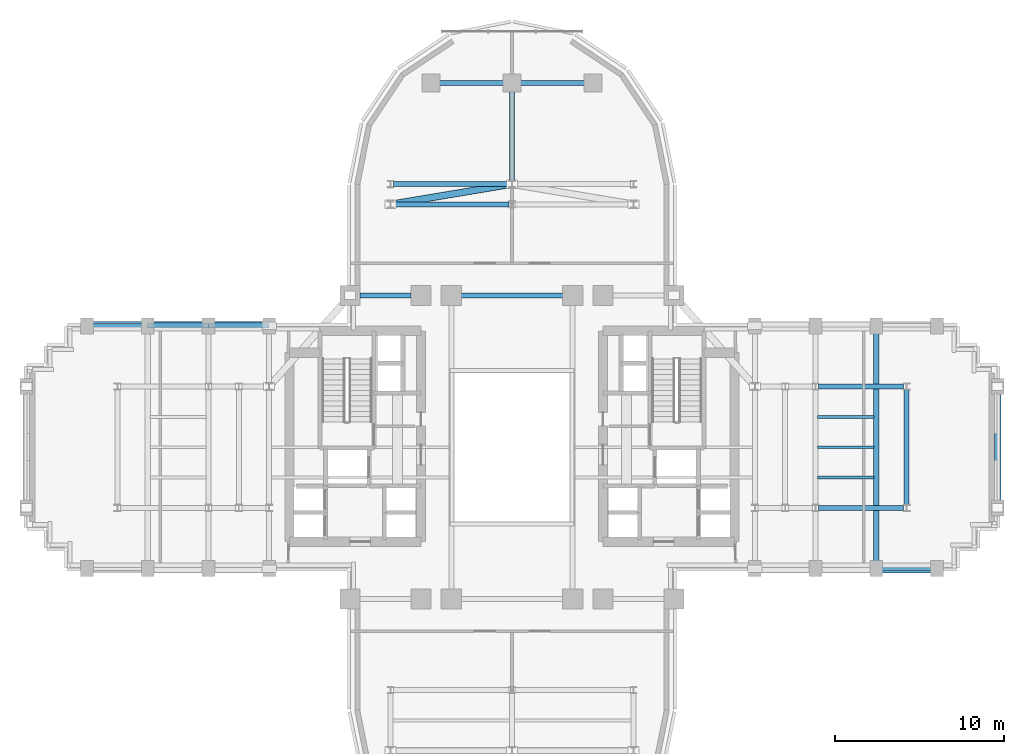
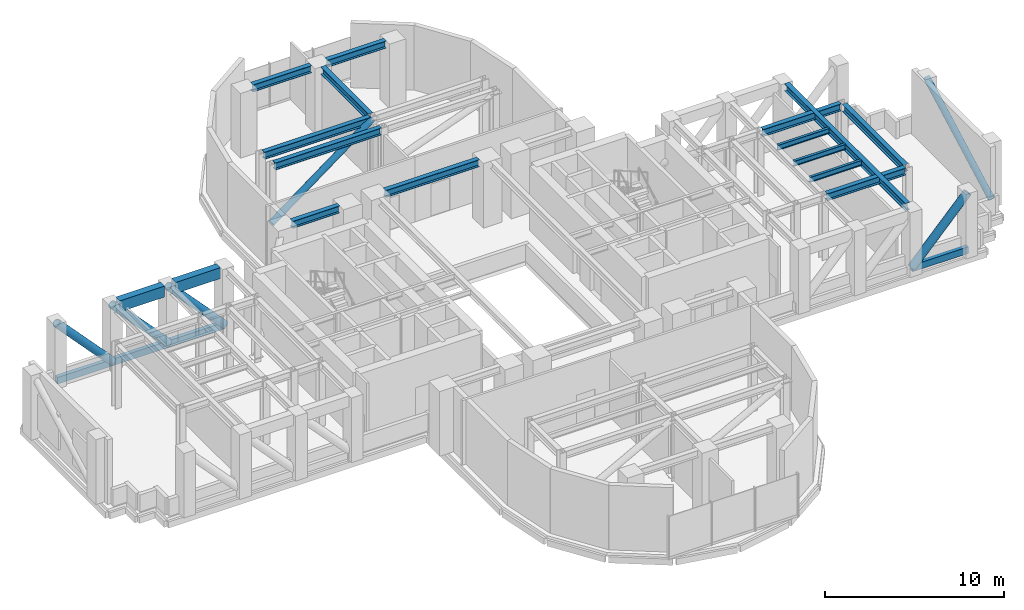
# One storey, part 6 of 15: 16 beams, 10 members.
"""IFC4 building model written with IfcOpenShell, lengths in metres."""

from ifc_helpers import new_model, si_unit, direction, frame, origin, origin_2d, place, context, subcontext, project, spatial, rectangle, hollow_rectangle, hollow_circle, i_section, extrude, source, transform, mapped, material, material_profile, profile_set, type_object, element, save


model = new_model("IFC4")

# Units and contexts
model_context = context("Model", 3, precision=1e-05, world=origin(), true_north=direction((0.0, 1.0)))
body_context = subcontext(model_context, "Body", "Model", "MODEL_VIEW")
ifc_project = project(units=[si_unit("LENGTHUNIT", "METRE"), si_unit("AREAUNIT", "SQUARE_METRE"), si_unit("VOLUMEUNIT", "CUBIC_METRE"), si_unit("PLANEANGLEUNIT", "RADIAN"), si_unit("MASSUNIT", "GRAM", prefix="KILO")], contexts=[model_context])

# Site, building, storey
site_placement = place(None, origin())
site = spatial("IfcSite", under=ifc_project, at=site_placement, CompositionType="ELEMENT")
building_placement = place(site_placement, origin())
building = spatial("IfcBuilding", under=site, at=building_placement, Name="Keilestroom Media Tower", CompositionType="ELEMENT")
storey_placement = place(building_placement, frame((0.0, 0.0, 88.39990234375)))
storey = spatial("IfcBuildingStorey", under=building, at=storey_placement, Name="L23", CompositionType="ELEMENT", Elevation=88.39990234375)

# Beams
ifc_material_1 = material(Name="Precast concrete C40/50", Category="concrete")
ifc_material_profile_1 = material_profile(ifc_material_1, rectangle(XDim=0.449951171875, YDim=0.75, at=origin_2d()), Name="PC 450x750")
ifc_profile_set_1 = profile_set([ifc_material_profile_1], Name="Precast concrete C40/50")
beam_type_1 = type_object("IfcBeamType", Name="Perimeter-Spandrel-Beam-PC-450x750", PredefinedType="SPANDREL", material=ifc_profile_set_1)
shared_shape_1 = source(origin(), body_context, "Body", "SweptSolid", [
    extrude(rectangle(XDim=0.449951171875, YDim=0.75, at=origin_2d()), origin(), (0.0, 0.0, 1.0), 2.89013671875),
])
for number, where, z_axis, x_axis, name in (
    (1, (-21.2451171875, 7.199951171875, 4.025146484375), (1.0, 0.0, 0.0), (0.0, 1.0, 0.0), "L23 Beam SPB-1 BM-L23-EW-028"),
    (2, (-17.64501953125, 7.199951171875, 4.025146484375), (1.0, 0.0, 0.0), (0.0, 1.0, 0.0), "L23 Beam SPB-1 BM-L23-EW-029"),
):
    element("IfcBeam", number, at=place(storey_placement, frame(where, z_axis=z_axis, x_axis=x_axis)), inside=storey, type_object=beam_type_1, Name=name, PredefinedType="SPANDREL", context=body_context, shape_type="MappedRepresentation", body=[
        mapped(shared_shape_1, transform((0.0, 0.0, 0.0), x_axis=(1.0, 0.0, 0.0), y_axis=(0.0, 1.0, 0.0), z_axis=(0.0, 0.0, 1.0), scale=1.0)),
    ])
ifc_material_2 = material(Name="Steel S355", Category="steel")
ifc_material_profile_2 = material_profile(ifc_material_2, i_section(OverallWidth=0.300048828125, OverallDepth=0.5, WebThickness=0.012451171875, FlangeThickness=0.028076171875, at=origin_2d()), Name="HEB 500")
ifc_profile_set_2 = profile_set([ifc_material_profile_2], Name="Steel S355")
beam_type_2 = type_object("IfcBeamType", Name="Primary-Structural-Girder-HEB-500", PredefinedType="BEAM", material=ifc_profile_set_2)
shared_shape_2 = source(origin(), body_context, "Body", "SweptSolid", [
    extrude(i_section(OverallWidth=0.300048828125, OverallDepth=0.5, WebThickness=0.012451171875, FlangeThickness=0.028076171875, at=origin_2d()), origin(), (0.0, 0.0, 1.0), 13.490234375),
])
beam_1_placement = place(storey_placement, frame((21.60009765625, -6.7451171875, 4.150146484375), z_axis=(0.0, 1.0, 0.0), x_axis=(-1.0, 0.0, 0.0)))
element("IfcBeam", 3, at=beam_1_placement, inside=storey, type_object=beam_type_2, Name="L23 Beam BG-6 BM-L23-NS-073", PredefinedType="BEAM", context=body_context, shape_type="MappedRepresentation", body=[
    mapped(shared_shape_2, transform((0.0, 0.0, 0.0), x_axis=(1.0, 0.0, 0.0), y_axis=(0.0, 1.0, 0.0), z_axis=(0.0, 0.0, 1.0), scale=1.0)),
])
shared_shape_3 = source(origin(), body_context, "Body", "SweptSolid", [
    extrude(i_section(OverallWidth=0.300048828125, OverallDepth=0.5, WebThickness=0.012451171875, FlangeThickness=0.028076171875, at=origin_2d()), origin(), (0.0, 0.0, 1.0), 6.8330078125),
])
beam_2_placement = place(storey_placement, frame((23.39990234375, -3.41650390625, 4.130126953125), z_axis=(0.0, 1.0, 0.0), x_axis=(-1.0, 0.0, 0.0)))
element("IfcBeam", 4, at=beam_2_placement, inside=storey, type_object=beam_type_2, Name="L23 Beam BG-6 BM-L23-NS-074", PredefinedType="BEAM", context=body_context, shape_type="MappedRepresentation", body=[
    mapped(shared_shape_3, transform((0.0, 0.0, 0.0), x_axis=(1.0, 0.0, 0.0), y_axis=(0.0, 1.0, 0.0), z_axis=(0.0, 0.0, 1.0), scale=1.0)),
])
shared_shape_4 = source(origin(), body_context, "Body", "SweptSolid", [
    extrude(i_section(OverallWidth=0.300048828125, OverallDepth=0.5, WebThickness=0.012451171875, FlangeThickness=0.028076171875, at=origin_2d()), origin(), (0.0, 0.0, 1.0), 5.3115234375),
])
beam_3_placement = place(storey_placement, frame((0.0, 15.783447265625, 4.150146484375), z_axis=(0.0, 1.0, 0.0), x_axis=(-1.0, 0.0, 0.0)))
element("IfcBeam", 5, at=beam_3_placement, inside=storey, type_object=beam_type_2, Name="L23 Beam BG-6 BM-L23-NS-060", PredefinedType="BEAM", context=body_context, shape_type="MappedRepresentation", body=[
    mapped(shared_shape_4, transform((0.0, 0.0, 0.0), x_axis=(1.0, 0.0, 0.0), y_axis=(0.0, 1.0, 0.0), z_axis=(0.0, 0.0, 1.0), scale=1.0)),
])
ifc_material_profile_3 = material_profile(ifc_material_2, i_section(OverallWidth=0.300048828125, OverallDepth=0.489990234375, WebThickness=0.011962890625, FlangeThickness=0.02294921875, at=origin_2d()), Name="HEA 500")
ifc_profile_set_3 = profile_set([ifc_material_profile_3], Name="Steel S355")
beam_type_3 = type_object("IfcBeamType", Name="Primary-Structural-Girder-HEA-500", PredefinedType="BEAM", material=ifc_profile_set_3)
shared_shape_5 = source(origin(), body_context, "Body", "SweptSolid", [
    extrude(i_section(OverallWidth=0.300048828125, OverallDepth=0.489990234375, WebThickness=0.011962890625, FlangeThickness=0.02294921875, at=origin_2d()), origin(), (0.0, 0.0, 1.0), 3.7900390625),
])
for number, where, z_axis, x_axis, name in (
    (6, (-4.294921875, 21.60009765625, 4.155029296875), (1.0, 0.0, 0.0), (0.0, 1.0, 0.0), "L23 Beam BG-10 BM-L23-EW-041"),
    (7, (0.5048828125, 21.60009765625, 4.155029296875), (1.0, 0.0, 0.0), (0.0, 1.0, 0.0), "L23 Beam BG-10 BM-L23-EW-042"),
):
    element("IfcBeam", number, at=place(storey_placement, frame(where, z_axis=z_axis, x_axis=x_axis)), inside=storey, type_object=beam_type_3, Name=name, PredefinedType="BEAM", context=body_context, shape_type="MappedRepresentation", body=[
        mapped(shared_shape_5, transform((0.0, 0.0, 0.0), x_axis=(1.0, 0.0, 0.0), y_axis=(0.0, 1.0, 0.0), z_axis=(0.0, 0.0, 1.0), scale=1.0)),
    ])
shared_shape_6 = source(origin(), body_context, "Body", "SweptSolid", [
    extrude(i_section(OverallWidth=0.300048828125, OverallDepth=0.489990234375, WebThickness=0.011962890625, FlangeThickness=0.02294921875, at=origin_2d()), origin(), (0.0, 0.0, 1.0), 6.836181640625),
])
for number, where, z_axis, x_axis, name in (
    (8, (-7.01806640625, 14.39990234375, 4.155029296875), (1.0, 0.0, 0.0), (0.0, 1.0, 0.0), "L23 Beam BG-10 BM-L23-EW-037"),
    (9, (-7.01806640625, 15.60009765625, 4.155029296875), (1.0, 0.0, 0.0), (0.0, 1.0, 0.0), "L23 Beam BG-10 BM-L23-EW-039"),
):
    element("IfcBeam", number, at=place(storey_placement, frame(where, z_axis=z_axis, x_axis=x_axis)), inside=storey, type_object=beam_type_3, Name=name, PredefinedType="BEAM", context=body_context, shape_type="MappedRepresentation", body=[
        mapped(shared_shape_6, transform((0.0, 0.0, 0.0), x_axis=(1.0, 0.0, 0.0), y_axis=(0.0, 1.0, 0.0), z_axis=(0.0, 0.0, 1.0), scale=1.0)),
    ])
shared_shape_7 = source(origin(), body_context, "Body", "SweptSolid", [
    extrude(i_section(OverallWidth=0.300048828125, OverallDepth=0.489990234375, WebThickness=0.011962890625, FlangeThickness=0.02294921875, at=origin_2d()), origin(), (0.0, 0.0, 1.0), 3.0400390625),
])
beam_4_placement = place(storey_placement, frame((-9.02001953125, 9.0, 4.155029296875), z_axis=(1.0, 0.0, 0.0), x_axis=(0.0, 1.0, 0.0)))
element("IfcBeam", 10, at=beam_4_placement, inside=storey, type_object=beam_type_3, Name="L23 Beam BG-10 BM-L23-EW-032", PredefinedType="BEAM", context=body_context, shape_type="MappedRepresentation", body=[
    mapped(shared_shape_7, transform((0.0, 0.0, 0.0), x_axis=(1.0, 0.0, 0.0), y_axis=(0.0, 1.0, 0.0), z_axis=(0.0, 0.0, 1.0), scale=1.0)),
])
shared_shape_8 = source(origin(), body_context, "Body", "SweptSolid", [
    extrude(i_section(OverallWidth=0.300048828125, OverallDepth=0.489990234375, WebThickness=0.011962890625, FlangeThickness=0.02294921875, at=origin_2d()), origin(), (0.0, 0.0, 1.0), 6.0400390625),
])
beam_5_placement = place(storey_placement, frame((-3.02001953125, 9.0, 4.155029296875), z_axis=(1.0, 0.0, 0.0), x_axis=(0.0, 1.0, 0.0)))
element("IfcBeam", 11, at=beam_5_placement, inside=storey, type_object=beam_type_3, Name="L23 Beam BG-10 BM-L23-EW-034", PredefinedType="BEAM", context=body_context, shape_type="MappedRepresentation", body=[
    mapped(shared_shape_8, transform((0.0, 0.0, 0.0), x_axis=(1.0, 0.0, 0.0), y_axis=(0.0, 1.0, 0.0), z_axis=(0.0, 0.0, 1.0), scale=1.0)),
])
shared_shape_9 = source(origin(), body_context, "Body", "SweptSolid", [
    extrude(i_section(OverallWidth=0.300048828125, OverallDepth=0.489990234375, WebThickness=0.011962890625, FlangeThickness=0.02294921875, at=origin_2d()), origin(), (0.0, 0.0, 1.0), 5.0361328125),
])
for number, where, z_axis, x_axis, name in (
    (12, (18.181884765625, -3.60009765625, 4.155029296875), (1.0, 0.0, 0.0), (0.0, 1.0, 0.0), "L23 Beam BG-10 BM-L23-EW-021"),
    (13, (18.181884765625, 3.60009765625, 4.155029296875), (1.0, 0.0, 0.0), (0.0, 1.0, 0.0), "L23 Beam BG-10 BM-L23-EW-027"),
):
    element("IfcBeam", number, at=place(storey_placement, frame(where, z_axis=z_axis, x_axis=x_axis)), inside=storey, type_object=beam_type_3, Name=name, PredefinedType="BEAM", context=body_context, shape_type="MappedRepresentation", body=[
        mapped(shared_shape_9, transform((0.0, 0.0, 0.0), x_axis=(1.0, 0.0, 0.0), y_axis=(0.0, 1.0, 0.0), z_axis=(0.0, 0.0, 1.0), scale=1.0)),
    ])
ifc_material_profile_4 = material_profile(ifc_material_2, i_section(OverallWidth=0.169921875, OverallDepth=0.360107421875, WebThickness=0.008056640625, FlangeThickness=0.0126953125, at=origin_2d()), Name="IPE 360")
ifc_profile_set_4 = profile_set([ifc_material_profile_4], Name="Steel S355")
beam_type_4 = type_object("IfcBeamType", Name="Secondary-Floor-Joist-IPE-360", PredefinedType="JOIST", material=ifc_profile_set_4)
shared_shape_10 = source(origin(), body_context, "Body", "SweptSolid", [
    extrude(i_section(OverallWidth=0.169921875, OverallDepth=0.360107421875, WebThickness=0.008056640625, FlangeThickness=0.0126953125, at=origin_2d()), origin(), (0.0, 0.0, 1.0), 3.340087890625),
])
for number, where, z_axis, x_axis, name in (
    (14, (18.1298828125, -1.800048828125, 4.22021484375), (1.0, 0.0, 0.0), (0.0, 1.0, 0.0), "L23 Beam BJ-5 JST-L23-081"),
    (15, (18.1298828125, 0.0, 4.22021484375), (1.0, 0.0, 0.0), (0.0, 1.0, 0.0), "L23 Beam BJ-5 JST-L23-086"),
    (16, (18.1298828125, 1.800048828125, 4.22021484375), (1.0, 0.0, 0.0), (0.0, 1.0, 0.0), "L23 Beam BJ-5 JST-L23-091"),
):
    element("IfcBeam", number, at=place(storey_placement, frame(where, z_axis=z_axis, x_axis=x_axis)), inside=storey, type_object=beam_type_4, Name=name, PredefinedType="JOIST", context=body_context, shape_type="MappedRepresentation", body=[
        mapped(shared_shape_10, transform((0.0, 0.0, 0.0), x_axis=(1.0, 0.0, 0.0), y_axis=(0.0, 1.0, 0.0), z_axis=(0.0, 0.0, 1.0), scale=1.0)),
    ])

# Members
ifc_material_3 = material(Name="Steel S460", Category="steel")
ifc_material_profile_5 = material_profile(ifc_material_3, hollow_rectangle(XDim=0.25, YDim=0.449951171875, WallThickness=0.01611328125, at=origin_2d()), Name="RHS 450x250x16")
ifc_profile_set_5 = profile_set([ifc_material_profile_5], Name="Steel S460")
member_type_1 = type_object("IfcMemberType", Name="Transfer-And-Belt-Truss-Chord-RHS-450x250x16", PredefinedType="CHORD", material=ifc_profile_set_5)
shared_shape_11 = source(origin(), body_context, "Body", "SweptSolid", [
    extrude(hollow_rectangle(XDim=0.25, YDim=0.449951171875, WallThickness=0.01611328125, at=origin_2d()), origin(), (0.0, 0.0, 1.0), 3.60009765625),
])
for number, where, z_axis, x_axis, name in (
    (17, (-14.39990234375, 7.199951171875, 0.280029296875), (-1.0, 0.0, 0.0), (0.0, -1.0, 0.0), "L23 Outrigger OT-L23-WN Chord 1"),
    (18, (-18.0, 7.199951171875, 0.280029296875), (-1.0, 0.0, 0.0), (0.0, -1.0, 0.0), "L23 Outrigger OT-L23-WN Chord 2"),
):
    element("IfcMember", number, at=place(storey_placement, frame(where, z_axis=z_axis, x_axis=x_axis)), inside=storey, type_object=member_type_1, Name=name, PredefinedType="CHORD", context=body_context, shape_type="MappedRepresentation", body=[
        mapped(shared_shape_11, transform((0.0, 0.0, 0.0), x_axis=(1.0, 0.0, 0.0), y_axis=(0.0, 1.0, 0.0), z_axis=(0.0, 0.0, 1.0), scale=1.0)),
    ])
ifc_material_profile_6 = material_profile(ifc_material_3, hollow_circle(Radius=0.25390625, WallThickness=0.02001953125, at=origin_2d()), Name="CHS 508x20")
ifc_profile_set_6 = profile_set([ifc_material_profile_6], Name="Steel S460")
member_type_2 = type_object("IfcMemberType", Name="Outrigger-And-Belt-Brace-CHS-508x20", PredefinedType="BRACE", material=ifc_profile_set_6)
shared_shape_12 = source(origin(), body_context, "Body", "SweptSolid", [
    extrude(hollow_circle(Radius=0.25390625, WallThickness=0.02001953125, at=origin_2d()), origin(), (0.0, 0.0, 1.0), 5.28564453125),
])
for number, where, z_axis, x_axis, name in (
    (19, (-14.39990234375, 7.199951171875, 0.280029296875), (-0.681102790765, 0.0, 0.732187809522), (0.0, -1.0, 0.0), "L23 Outrigger OT-L23-WN Brace 1"),
    (20, (-18.0, 7.199951171875, 0.280029296875), (-0.681102790765, 0.0, 0.732187809522), (0.0, -1.0, 0.0), "L23 Outrigger OT-L23-WN Brace 2"),
    (21, (-21.60009765625, 7.199951171875, 0.280029296875), (-0.681078027728, 0.0, 0.732210844051), (0.0, -1.0, 0.0), "L23 Outrigger OT-L23-WN Brace 3"),
    (22, (21.60009765625, -7.199951171875, 0.280029296875), (0.681078027728, 0.0, 0.732210844051), (0.0, 1.0, 0.0), "L23 Outrigger OT-L23-ES Brace 3"),
):
    element("IfcMember", number, at=place(storey_placement, frame(where, z_axis=z_axis, x_axis=x_axis)), inside=storey, type_object=member_type_2, Name=name, PredefinedType="BRACE", context=body_context, shape_type="MappedRepresentation", body=[
        mapped(shared_shape_12, transform((0.0, 0.0, 0.0), x_axis=(1.0, 0.0, 0.0), y_axis=(0.0, 1.0, 0.0), z_axis=(0.0, 0.0, 1.0), scale=1.0)),
    ])
shared_shape_13 = source(origin(), body_context, "Body", "SweptSolid", [
    extrude(hollow_rectangle(XDim=0.25, YDim=0.449951171875, WallThickness=0.01611328125, at=origin_2d()), origin(), (0.0, 0.0, 1.0), 3.599853515625),
])
for number, where, z_axis, x_axis, name in (
    (23, (-21.60009765625, 7.199951171875, 0.280029296875), (-1.0, 0.0, 0.0), (0.0, -1.0, 0.0), "L23 Outrigger OT-L23-WN Chord 3"),
    (24, (21.60009765625, -7.199951171875, 0.280029296875), (1.0, 0.0, 0.0), (0.0, 1.0, 0.0), "L23 Outrigger OT-L23-ES Chord 3"),
):
    element("IfcMember", number, at=place(storey_placement, frame(where, z_axis=z_axis, x_axis=x_axis)), inside=storey, type_object=member_type_1, Name=name, PredefinedType="CHORD", context=body_context, shape_type="MappedRepresentation", body=[
        mapped(shared_shape_13, transform((0.0, 0.0, 0.0), x_axis=(1.0, 0.0, 0.0), y_axis=(0.0, 1.0, 0.0), z_axis=(0.0, 0.0, 1.0), scale=1.0)),
    ])
ifc_material_profile_7 = material_profile(ifc_material_3, hollow_circle(Radius=0.203125, WallThickness=0.01611328125, at=origin_2d()), Name="CHS 406.4x16")
ifc_profile_set_7 = profile_set([ifc_material_profile_7], Name="Steel S460")
member_type_3 = type_object("IfcMemberType", Name="Outrigger-And-Belt-Brace-CHS-406x16", PredefinedType="BRACE", material=ifc_profile_set_7)
shared_shape_14 = source(origin(), body_context, "Body", "SweptSolid", [
    extrude(hollow_circle(Radius=0.203125, WallThickness=0.01611328125, at=origin_2d()), origin(), (0.0, 0.0, 1.0), 8.17431640625),
])
member_1_placement = place(storey_placement, frame((28.800048828125, -3.60009765625, 0.280029296875), z_axis=(0.0, 0.880823774267, 0.473444271995), x_axis=(-1.0, 0.0, 0.0)))
element("IfcMember", 25, at=member_1_placement, inside=storey, type_object=member_type_3, Name="L23 Belt Truss Brace BE1", PredefinedType="BRACE", context=body_context, shape_type="MappedRepresentation", body=[
    mapped(shared_shape_14, transform((0.0, 0.0, 0.0), x_axis=(1.0, 0.0, 0.0), y_axis=(0.0, 1.0, 0.0), z_axis=(0.0, 0.0, 1.0), scale=1.0)),
])
shared_shape_15 = source(origin(), body_context, "Body", "SweptSolid", [
    extrude(hollow_circle(Radius=0.203125, WallThickness=0.01611328125, at=origin_2d()), origin(), (0.0, 0.0, 1.0), 8.26171875),
])
member_2_placement = place(storey_placement, frame((-7.199951171875, 14.39990234375, 0.280029296875), z_axis=(0.871473390591, 0.145270190504, 0.468434308353), x_axis=(-0.16442610654, 0.986389403576, 0.0)))
element("IfcMember", 26, at=member_2_placement, inside=storey, type_object=member_type_3, Name="L23 Belt Truss Brace BN1", PredefinedType="BRACE", context=body_context, shape_type="MappedRepresentation", body=[
    mapped(shared_shape_15, transform((0.0, 0.0, 0.0), x_axis=(1.0, 0.0, 0.0), y_axis=(0.0, 1.0, 0.0), z_axis=(0.0, 0.0, 1.0), scale=1.0)),
])

save(model, "model.ifc")
